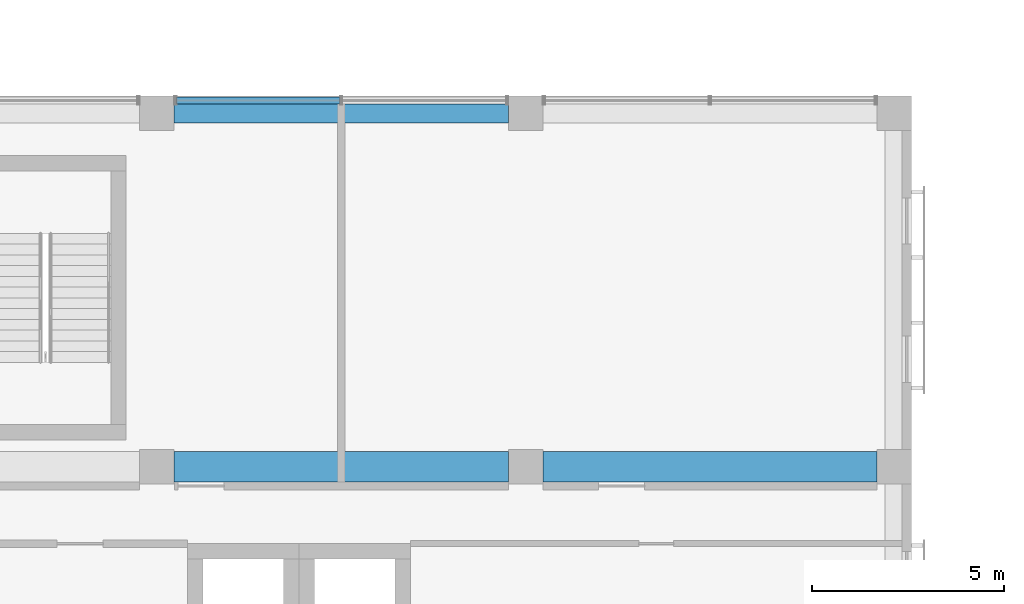
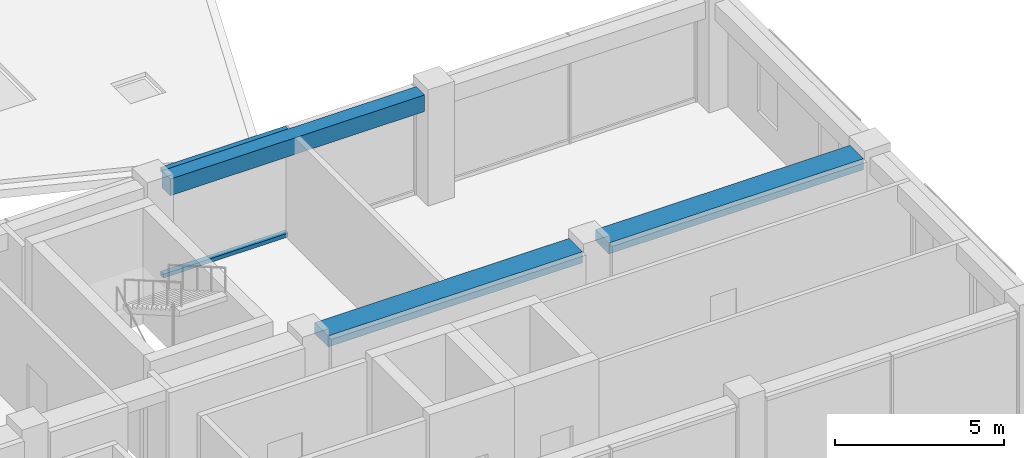
# One storey, part 23 of 36: 3 beams, 2 members, 1 element without a shape of its own.
"""IFC4 building model written with IfcOpenShell, lengths in metres."""

import ifcopenshell
import ifcopenshell.guid

model = None  # the IFC model being written
_history = None  # IfcOwnerHistory: only IFC2X3 demands one
_inside = {}  # id of a spatial element -> (the spatial element, [elements in it])
_under = {}  # id of a project, library or spatial element -> (it, [spatial elements below it])
_declared = {}  # id of a project -> (the project, [libraries it declares])
_typed = {}  # id of a type object -> (the type object, [elements of that type])
_made_of = {}  # id of a material, layer set ... -> (it, [elements and type objects made of it])


def new_model(schema):
    """Start an empty IFC model of exactly this schema.

    Asked for "IFC4X3", IfcOpenShell would pick the latest addendum, in which some entities
    have other attributes; the version numbers below select the first issue.
    IFC2X3 requires an IfcOwnerHistory on every rooted entity: one is made here for all.
    """
    global model, _history
    if schema == "IFC4X3":
        model = ifcopenshell.file(schema_version=(4, 3, 0, 0))
    else:
        model = ifcopenshell.file(schema=schema)
    _inside.clear()
    _under.clear()
    _declared.clear()
    _typed.clear()
    _made_of.clear()
    _history = None
    if model.schema == "IFC2X3":
        org = make("IfcOrganization", Name="unknown")
        user = make(
            "IfcPersonAndOrganization",
            ThePerson=make("IfcPerson", FamilyName="unknown"),
            TheOrganization=org,
        )
        app = make(
            "IfcApplication",
            ApplicationDeveloper=org,
            Version="unknown",
            ApplicationFullName="unknown",
            ApplicationIdentifier="unknown",
        )
        _history = make(
            "IfcOwnerHistory",
            OwningUser=user,
            OwningApplication=app,
            ChangeAction="ADDED",
            CreationDate=0,
        )
    return model


def make(cls, **values):
    """One entity of the class cls with the attributes given. An attribute that is None is left unset."""
    return model.create_entity(
        cls, **{name: value for name, value in values.items() if value is not None}
    )


def rooted(cls, **values):
    """An entity with a GlobalId (a new one), such as an element, a storey or a relation."""
    return make(cls, GlobalId=ifcopenshell.guid.new(), OwnerHistory=_history, **values)


def si_unit(unit_type, name, prefix=None):
    """IfcSIUnit, for example si_unit("LENGTHUNIT", "METRE", prefix="MILLI")."""
    return make("IfcSIUnit", UnitType=unit_type, Prefix=prefix, Name=name)


def assignment(units):
    """IfcUnitAssignment: the units of a project."""
    return None if units is None else make("IfcUnitAssignment", Units=units)


def point(xyz):
    """IfcCartesianPoint."""
    return None if xyz is None else make("IfcCartesianPoint", Coordinates=xyz)


def direction(xyz):
    """IfcDirection."""
    return None if xyz is None else make("IfcDirection", DirectionRatios=xyz)


def frame(location, z_axis=None, x_axis=None):
    """IfcAxis2Placement3D, a coordinate frame: its origin and axes. An axis left out is left unset."""
    return make(
        "IfcAxis2Placement3D",
        Location=point(location),
        Axis=direction(z_axis),
        RefDirection=direction(x_axis),
    )


def frame_2d(location, x_axis=None):
    """IfcAxis2Placement2D, a coordinate frame in the plane: its origin and x axis."""
    return make(
        "IfcAxis2Placement2D", Location=point(location), RefDirection=direction(x_axis)
    )


def origin():
    """The frame at (0, 0, 0) with its axes left unset."""
    return frame((0.0, 0.0, 0.0))


def origin_2d():
    """The frame at (0, 0) in the plane with its x axis left unset."""
    return frame_2d((0.0, 0.0))


def place(relative_to, where):
    """IfcLocalPlacement: puts the frame where relative to a parent placement (None: the world)."""
    return make(
        "IfcLocalPlacement", PlacementRelTo=relative_to, RelativePlacement=where
    )


def context(
    kind, dimensions, precision=None, world=None, true_north=None, identifier=None
):
    """IfcGeometricRepresentationContext, for example the 3D "Model" context."""
    return make(
        "IfcGeometricRepresentationContext",
        ContextIdentifier=identifier,
        ContextType=kind,
        CoordinateSpaceDimension=dimensions,
        Precision=precision,
        WorldCoordinateSystem=world,
        TrueNorth=true_north,
    )


def subcontext(parent, identifier, kind, view, scale=None):
    """IfcGeometricRepresentationSubContext, for example "Body" below "Model"."""
    return make(
        "IfcGeometricRepresentationSubContext",
        ContextIdentifier=identifier,
        ContextType=kind,
        ParentContext=parent,
        TargetScale=scale,
        TargetView=view,
    )


def project(units=None, contexts=None):
    """IfcProject with its units and contexts."""
    return rooted(
        "IfcProject",
        Name="project",
        RepresentationContexts=contexts,
        UnitsInContext=assignment(units),
    )


def spatial(cls, under=None, at=None, **own):
    """A site, building, storey or space (cls), placed at a placement, below another one or the project."""
    s = rooted(cls, ObjectPlacement=at, **own)
    if under is not None:
        _under.setdefault(under.id(), (under, []))[1].append(s)
    return s


def profile(cls, at=None, kind="AREA", **sizes):
    """A parametric profile (cls). Its sizes go by their IFC names, for example OverallWidth=200.0."""
    return make(cls, ProfileType=kind, Position=at, **sizes)


def rectangle(**sizes):
    """IfcRectangleProfileDef."""
    return profile("IfcRectangleProfileDef", **sizes)


def hollow_rectangle(**sizes):
    """IfcRectangleHollowProfileDef."""
    return profile("IfcRectangleHollowProfileDef", **sizes)


def extrude(swept, where, along, depth):
    """IfcExtrudedAreaSolid: the profile swept, set in the frame where, extruded along a direction by depth."""
    return make(
        "IfcExtrudedAreaSolid",
        SweptArea=swept,
        Position=where,
        ExtrudedDirection=direction(along),
        Depth=depth,
    )


def shape(context_of_items, identifier, shape_type, items):
    """IfcShapeRepresentation: the items that make up one representation, for example the "Body"."""
    return make(
        "IfcShapeRepresentation",
        ContextOfItems=context_of_items,
        RepresentationIdentifier=identifier,
        RepresentationType=shape_type,
        Items=items,
    )


def material(Name=None, Category=None):
    """IfcMaterial."""
    return make("IfcMaterial", Name=Name, Category=Category)


def layer(
    of_material, thickness, ventilated=None, Name=None, Category=None, Priority=None
):
    """IfcMaterialLayer: one layer of a wall or slab, of a material (None: an air gap)."""
    return make(
        "IfcMaterialLayer",
        Material=of_material,
        LayerThickness=thickness,
        IsVentilated=ventilated,
        Name=Name,
        Category=Category,
        Priority=Priority,
    )


def layer_set(layers, Name=None):
    """IfcMaterialLayerSet."""
    return make("IfcMaterialLayerSet", MaterialLayers=layers, LayerSetName=Name)


def material_profile(
    of_material, cross_section, Name=None, Category=None, Priority=None
):
    """IfcMaterialProfile: a cross section and its material."""
    return make(
        "IfcMaterialProfile",
        Name=Name,
        Material=of_material,
        Profile=cross_section,
        Priority=Priority,
        Category=Category,
    )


def profile_set(profiles, Name=None, composite=None):
    """IfcMaterialProfileSet."""
    return make(
        "IfcMaterialProfileSet",
        Name=Name,
        MaterialProfiles=profiles,
        CompositeProfile=composite,
    )


def made_of(thing, what):
    """Note that an element or type object is made of a material, layer set ...; save() writes the relation."""
    if what is not None:
        _made_of.setdefault(what.id(), (what, []))[1].append(thing)
    return thing


def type_object(cls, material=None, **own):
    """A type object (cls), such as IfcWallType, which elements share."""
    return made_of(rooted(cls, **own), material)


def element(
    cls,
    number,
    at=None,
    inside=None,
    cuts=None,
    type_object=None,
    material=None,
    context=None,
    identifier="Body",
    shape_type=None,
    held_by="IfcProductDefinitionShape",
    body=None,
    shapes=None,
    **own,
):
    """One element of the class cls, such as IfcWall. Its Tag is "e" and its number.

    at: its placement. inside: the storey or other place that contains it. cuts: it is an
    opening in that element (IfcRelVoidsElement). A single representation is given by context,
    identifier, shape_type and body (its items); several are given by shapes. held_by: the class
    of the entity that holds the representations. save() writes the other relations.
    """
    e = rooted(cls, Tag="e%d" % number, ObjectPlacement=at, **own)
    if body is not None:
        shapes = [shape(context, identifier, shape_type, body)]
    if shapes is not None:
        e.Representation = make(held_by, Representations=shapes)
    if inside is not None:
        _inside.setdefault(inside.id(), (inside, []))[1].append(e)
    if cuts is not None:
        rooted(
            "IfcRelVoidsElement", RelatingBuildingElement=cuts, RelatedOpeningElement=e
        )
    if type_object is not None:
        _typed.setdefault(type_object.id(), (type_object, []))[1].append(e)
    return made_of(e, material)


def aggregate(whole, parts):
    """IfcRelAggregates: a whole, such as a stair, and the parts it consists of."""
    return rooted("IfcRelAggregates", RelatingObject=whole, RelatedObjects=parts)


def save(model, path):
    """Write the relations noted so far, then the file.

    IfcRelAggregates (storeys below a building ...), IfcRelContainedInSpatialStructure (elements
    in a storey), IfcRelDefinesByType, IfcRelAssociatesMaterial and IfcRelDeclares: one each for
    every whole, place, type object, material and project.
    """
    for whole, parts in _under.values():
        aggregate(whole, parts)
    for where, things in _inside.values():
        rooted(
            "IfcRelContainedInSpatialStructure",
            RelatedElements=things,
            RelatingStructure=where,
        )
    for kind, things in _typed.values():
        rooted("IfcRelDefinesByType", RelatedObjects=things, RelatingType=kind)
    for what, things in _made_of.values():
        rooted("IfcRelAssociatesMaterial", RelatedObjects=things, RelatingMaterial=what)
    for by, libraries in _declared.values():
        rooted("IfcRelDeclares", RelatingContext=by, RelatedDefinitions=libraries)
    model.write(path)


model = new_model("IFC4")

# Units and contexts
model_context = context("Model", 3, precision=1e-05, world=origin(), true_north=direction((0.0, 1.0)))
body_context = subcontext(model_context, "Body", "Model", "MODEL_VIEW")
ifc_project = project(units=[si_unit("LENGTHUNIT", "METRE"), si_unit("AREAUNIT", "SQUARE_METRE"), si_unit("VOLUMEUNIT", "CUBIC_METRE"), si_unit("PLANEANGLEUNIT", "RADIAN"), si_unit("MASSUNIT", "GRAM", prefix="KILO")], contexts=[model_context])

# Site, building, storey
site_placement = place(None, origin())
site = spatial("IfcSite", under=ifc_project, at=site_placement, CompositionType="ELEMENT")
building_placement = place(site_placement, origin())
building = spatial("IfcBuilding", under=site, at=building_placement, Name="Nzadi Deep Aquarium and Research Tower", CompositionType="ELEMENT")
storey_placement = place(building_placement, frame((0.0, 0.0, 40.300048828125)))
storey = spatial("IfcBuildingStorey", under=building, at=storey_placement, Name="L07", CompositionType="ELEMENT", Elevation=40.300048828125)

# Beams
ifc_material_1 = material(Name="Concrete C35/45", Category="concrete")
ifc_material_profile_1 = material_profile(ifc_material_1, rectangle(XDim=0.5, YDim=0.60009765625, at=origin_2d()))
ifc_profile_set_1 = profile_set([ifc_material_profile_1], Name="Concrete C35/45")
beam_type_1 = type_object("IfcBeamType", Name="RC 500x600", PredefinedType="BEAM", material=ifc_profile_set_1)
beam_placement = place(storey_placement, frame((29.25, 46.0, 3.599853515625), z_axis=(1.0, 0.0, 0.0), x_axis=(0.0, 1.0, 0.0)))
element("IfcBeam", 1, at=beam_placement, inside=storey, type_object=beam_type_1, Name="B-Z1-L07-L6-4", PredefinedType="BEAM", context=body_context, shape_type="SweptSolid", body=[
    extrude(rectangle(XDim=0.5, YDim=0.60009765625, at=origin_2d()), origin(), (0.0, 0.0, 1.0), 8.699951171875),
])
ifc_material_2 = material(Name="Concrete C35/45", Category="concrete")
ifc_material_profile_2 = material_profile(ifc_material_2, rectangle(XDim=0.800048828125, YDim=0.39990234375, at=origin_2d()))
ifc_profile_set_2 = profile_set([ifc_material_profile_2], Name="Concrete C35/45")
beam_type_2 = type_object("IfcBeamType", Name="RC 800x400", PredefinedType="BEAM", material=ifc_profile_set_2)
for number, where, z_axis, x_axis, name in (
    (2, (29.25, 36.800048828125, 3.699951171875), (1.0, 0.0, 0.0), (0.0, 1.0, 0.0), "B-Z1-L07-L5-4"),
    (3, (38.85009765625, 36.800048828125, 3.699951171875), (1.0, 0.0, 0.0), (0.0, 1.0, 0.0), "B-Z1-L07-L5-5"),
):
    element("IfcBeam", number, at=place(storey_placement, frame(where, z_axis=z_axis, x_axis=x_axis)), inside=storey, type_object=beam_type_2, Name=name, PredefinedType="BEAM", context=body_context, shape_type="SweptSolid", body=[
        extrude(rectangle(XDim=0.800048828125, YDim=0.39990234375, at=origin_2d()), origin(), (0.0, 0.0, 1.0), 8.699951171875),
    ])

# Curtain wall, members
ifc_material_3 = material(Name="Aluminium unitised frame deep", Category="aluminium")
ifc_layer = layer(ifc_material_3, 0.22509765625)
ifc_layer_set = layer_set([ifc_layer], Name="Aluminium unitised frame deep")
curtain_wall_type = type_object("IfcCurtainWallType", Name="Curtain wall Unitised Deep 225", PredefinedType="NOTDEFINED", material=ifc_layer_set)
curtain_wall_placement = place(storey_placement, origin())
curtain_wall = element("IfcCurtainWall", 4, at=curtain_wall_placement, inside=storey, type_object=curtain_wall_type, Name="Unitised curtain wall blade B north L07", PredefinedType="NOTDEFINED")
ifc_material_4 = material(Name="Aluminium unitised frame deep", Category="aluminium")
ifc_material_profile_3 = material_profile(ifc_material_4, hollow_rectangle(XDim=0.179931640625, YDim=0.139892578125, WallThickness=0.0048828125, at=origin_2d()))
ifc_profile_set_3 = profile_set([ifc_material_profile_3], Name="Aluminium unitised frame deep")
member_type = type_object("IfcMemberType", Name="Transom 140x180 Unitised Deep", PredefinedType="MULLION", material=ifc_profile_set_3)
member_1_placement = place(storey_placement, frame((29.31005859375, 46.33740234375, 0.070068359375), z_axis=(1.0, 0.0, 0.0), x_axis=(0.0, 1.0, 0.0)))
member_1 = element("IfcMember", 5, at=member_1_placement, type_object=member_type, Name="CW106 transom 1.1", PredefinedType="MULLION", context=body_context, shape_type="SweptSolid", body=[
    extrude(hollow_rectangle(XDim=0.179931640625, YDim=0.139892578125, WallThickness=0.0048828125, at=origin_2d()), origin(), (0.0, 0.0, 1.0), 4.260009765625),
])
member_2_placement = place(storey_placement, frame((29.31005859375, 46.33740234375, 3.829833984375), z_axis=(1.0, 0.0, 0.0), x_axis=(0.0, 1.0, 0.0)))
member_2 = element("IfcMember", 6, at=member_2_placement, type_object=member_type, Name="CW106 transom 1.2", PredefinedType="MULLION", context=body_context, shape_type="SweptSolid", body=[
    extrude(hollow_rectangle(XDim=0.179931640625, YDim=0.139892578125, WallThickness=0.0048828125, at=origin_2d()), origin(), (0.0, 0.0, 1.0), 4.260009765625),
])
aggregate(curtain_wall, [member_1, member_2])

save(model, "model.ifc")
